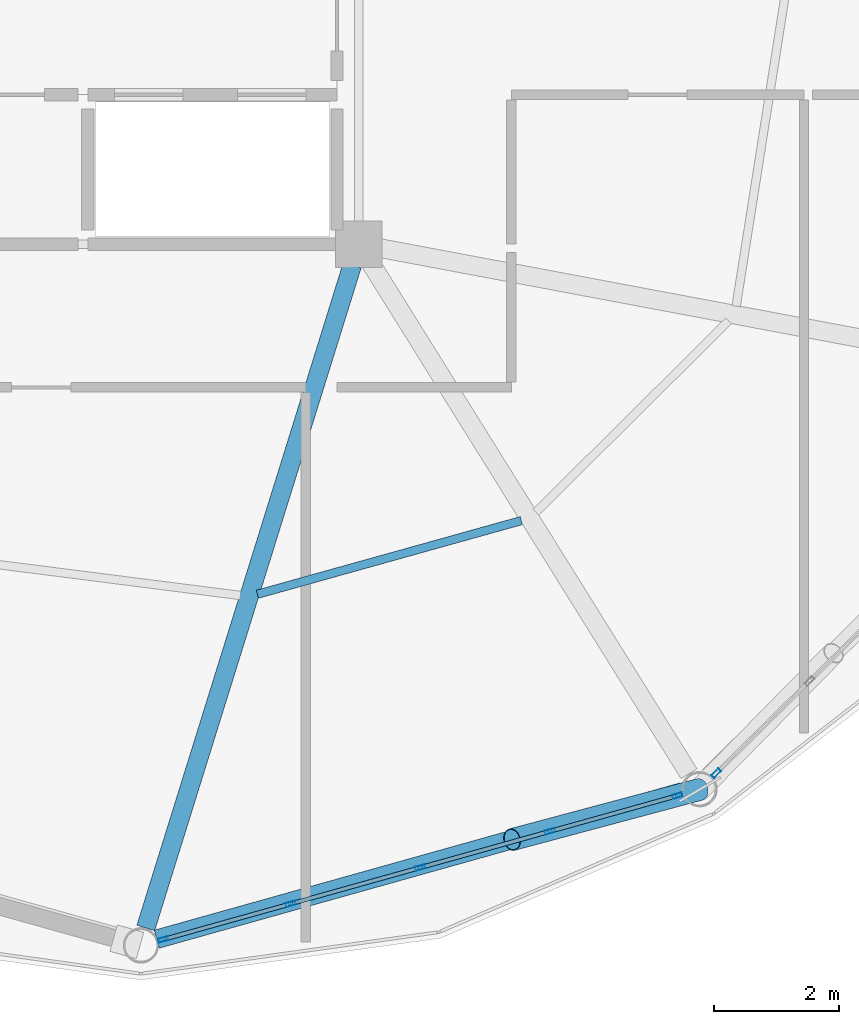
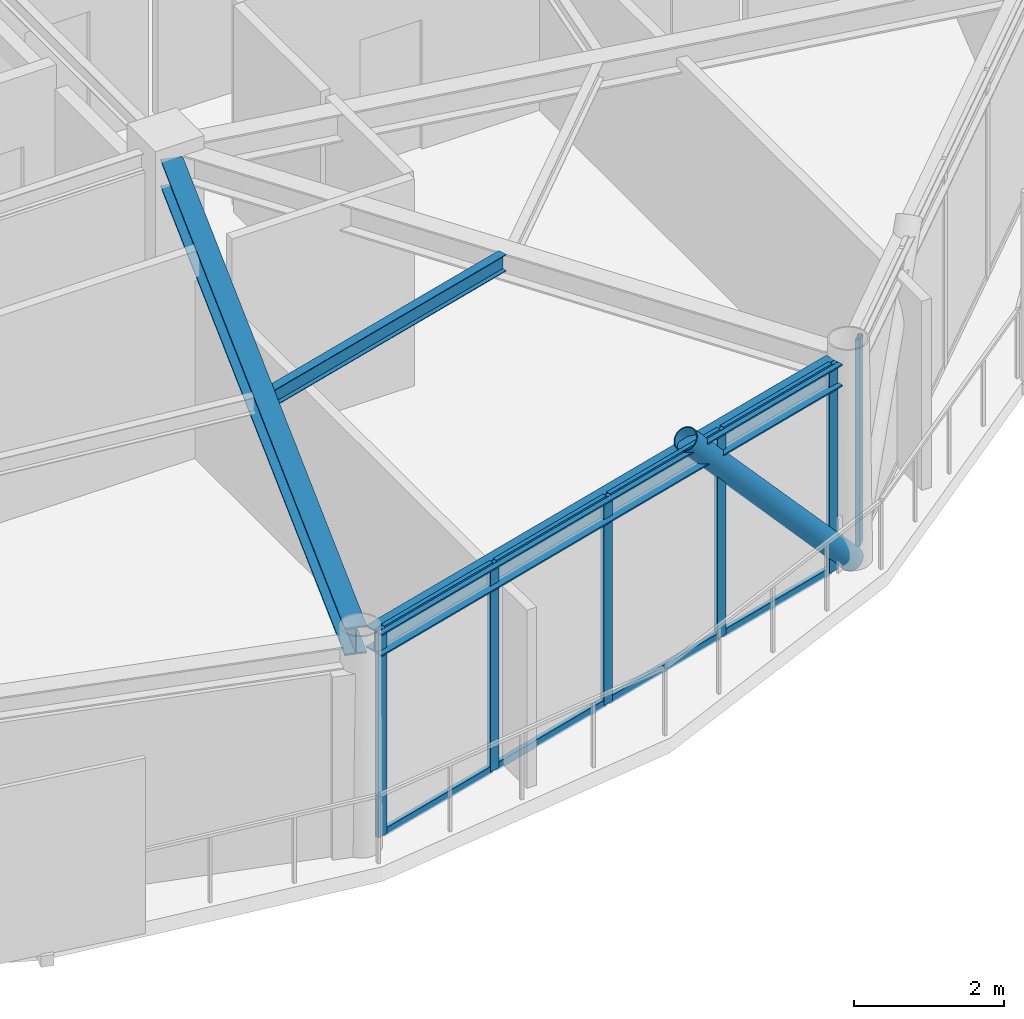
# One storey, part 6 of 26: 15 members, 3 beams, 2 elements without a shape of their own.
"""IFC4 building model written with IfcOpenShell, lengths in metres."""

from ifc_helpers import new_model, si_unit, direction, frame, origin, origin_2d, place, context, subcontext, project, spatial, hollow_rectangle, hollow_circle, i_section, extrude, material, layer, layer_set, material_profile, profile_set, type_object, element, aggregate, save


model = new_model("IFC4")

# Units and contexts
model_context = context("Model", 3, precision=1e-05, world=origin(), true_north=direction((0.0, 1.0)))
body_context = subcontext(model_context, "Body", "Model", "MODEL_VIEW")
ifc_project = project(units=[si_unit("LENGTHUNIT", "METRE"), si_unit("AREAUNIT", "SQUARE_METRE"), si_unit("VOLUMEUNIT", "CUBIC_METRE"), si_unit("PLANEANGLEUNIT", "RADIAN"), si_unit("MASSUNIT", "GRAM", prefix="KILO")], contexts=[model_context])

# Site, building, storey
site_placement = place(None, origin())
site = spatial("IfcSite", under=ifc_project, at=site_placement, CompositionType="ELEMENT")
building_placement = place(site_placement, origin())
building = spatial("IfcBuilding", under=site, at=building_placement, Name="Varnakorn Sky Granary", CompositionType="ELEMENT")
storey_placement = place(building_placement, frame((0.0, 0.0, 270.60009765625)))
storey = spatial("IfcBuildingStorey", under=building, at=storey_placement, Name="L69", CompositionType="ELEMENT", Elevation=270.60009765625)

# Beams
ifc_material_1 = material(Name="Steel S355JR", Category="steel")
ifc_material_profile_1 = material_profile(ifc_material_1, i_section(OverallWidth=0.300048828125, OverallDepth=0.449951171875, WebThickness=0.013916015625, FlangeThickness=0.02587890625, at=origin_2d()), Name="HE 450 B")
ifc_profile_set_1 = profile_set([ifc_material_profile_1], Name="Steel S355JR")
beam_type_1 = type_object("IfcBeamType", Name="BM-RAD-Z5", PredefinedType="BEAM", material=ifc_profile_set_1)
beam_1_placement = place(storey_placement, frame((8.244384765625, -6.93896484375, 3.135009765625), z_axis=(-0.297421948681, -0.954746136124, 0.0), x_axis=(0.954746136124, -0.297421948681, 0.0)))
element("IfcBeam", 1, at=beam_1_placement, inside=storey, type_object=beam_type_1, Name="Radial Floor Girder RG10 L69", PredefinedType="BEAM", context=body_context, shape_type="SweptSolid", body=[
    extrude(i_section(OverallWidth=0.300048828125, OverallDepth=0.449951171875, WebThickness=0.013916015625, FlangeThickness=0.02587890625, at=origin_2d()), origin(), (0.0, 0.0, 1.0), 11.14794921875),
])
ifc_material_profile_2 = material_profile(ifc_material_1, i_section(OverallWidth=0.135009765625, OverallDepth=0.27001953125, WebThickness=0.006591796875, FlangeThickness=0.01025390625, at=origin_2d()), Name="IPE 270")
ifc_profile_set_2 = profile_set([ifc_material_profile_2], Name="Steel S355JR")
beam_type_2 = type_object("IfcBeamType", Name="BM-SEC-Z5", PredefinedType="BEAM", material=ifc_profile_set_2)
beam_2_placement = place(storey_placement, frame((6.721435546875, -12.22314453125, 3.224853515625), z_axis=(0.96320732246, 0.268759472317, 0.0), x_axis=(-0.268759472317, 0.96320732246, 0.0)))
element("IfcBeam", 2, at=beam_2_placement, inside=storey, type_object=beam_type_2, Name="Secondary Floor Chord Beam MSB10 L69", PredefinedType="BEAM", context=body_context, shape_type="SweptSolid", body=[
    extrude(i_section(OverallWidth=0.135009765625, OverallDepth=0.27001953125, WebThickness=0.006591796875, FlangeThickness=0.01025390625, at=origin_2d()), origin(), (0.0, 0.0, 1.0), 4.401123046875),
])
ifc_material_profile_3 = material_profile(ifc_material_1, i_section(OverallWidth=0.300048828125, OverallDepth=0.360107421875, WebThickness=0.012451171875, FlangeThickness=0.0224609375, at=origin_2d()), Name="HE 360 B")
ifc_profile_set_3 = profile_set([ifc_material_profile_3], Name="Steel S355JR")
beam_type_3 = type_object("IfcBeamType", Name="BM-SPD-Z5", PredefinedType="SPANDREL", material=ifc_profile_set_3)
beam_3_placement = place(storey_placement, frame((5.104736328125, -17.763671875, 3.179931640625), z_axis=(0.96289392895, 0.269880124482, 0.0), x_axis=(-0.269880124482, 0.96289392895, 0.0)))
element("IfcBeam", 3, at=beam_3_placement, inside=storey, type_object=beam_type_3, Name="Perimeter Spandrel Ring Beam RB10 L69", PredefinedType="SPANDREL", context=body_context, shape_type="SweptSolid", body=[
    extrude(i_section(OverallWidth=0.300048828125, OverallDepth=0.360107421875, WebThickness=0.012451171875, FlangeThickness=0.0224609375, at=origin_2d()), origin(), (0.0, 0.0, 1.0), 8.758544921875),
])

# Curtain wall, members
ifc_material_2 = material(Name="Anodised Bronze Aluminium Alloy 6063-T6", Category="aluminium")
ifc_layer = layer(ifc_material_2, 0.159912109375, Name="Anodised Bronze Aluminium Alloy 6063-T6")
ifc_layer_set = layer_set([ifc_layer], Name="Anodised Bronze Aluminium Alloy 6063-T6")
curtain_wall_type = type_object("IfcCurtainWallType", Name="CW-OFF-1", PredefinedType="USERDEFINED", material=ifc_layer_set)
curtain_wall_1_placement = place(storey_placement, origin())
curtain_wall_1 = element("IfcCurtainWall", 4, at=curtain_wall_1_placement, inside=storey, type_object=curtain_wall_type, Name="Unitised Curtain Wall CW6 CW-L69-B10", ObjectType="CURTAIN WALL", PredefinedType="USERDEFINED")
ifc_material_profile_4 = material_profile(ifc_material_2, hollow_rectangle(XDim=0.06494140625, YDim=0.159912109375, WallThickness=0.00341796875, at=origin_2d()), Name="ALU MULL 65x160")
ifc_profile_set_4 = profile_set([ifc_material_profile_4], Name="Anodised Bronze Aluminium Alloy 6063-T6")
member_type_1 = type_object("IfcMemberType", Name="CW-OFF-1-MULL", PredefinedType="MULLION", material=ifc_profile_set_4)
member_1_placement = place(storey_placement, frame((13.46875, -15.458251953125, 0.0), z_axis=(0.0, 0.0, 1.0), x_axis=(0.269378844621, -0.963034287069, 0.0)))
member_1 = element("IfcMember", 5, at=member_1_placement, type_object=member_type_1, Name="CW6 mullion 1", PredefinedType="MULLION", context=body_context, shape_type="SweptSolid", body=[
    extrude(hollow_rectangle(XDim=0.06494140625, YDim=0.159912109375, WallThickness=0.00341796875, at=origin_2d()), origin(), (0.0, 0.0, 1.0), 3.35986328125),
])
member_2_placement = place(storey_placement, frame((11.419189453125, -16.031494140625, 0.0), z_axis=(0.0, 0.0, 1.0), x_axis=(0.269378844621, -0.963034287069, 0.0)))
member_2 = element("IfcMember", 6, at=member_2_placement, type_object=member_type_1, Name="CW6 mullion 2", PredefinedType="MULLION", context=body_context, shape_type="SweptSolid", body=[
    extrude(hollow_rectangle(XDim=0.06494140625, YDim=0.159912109375, WallThickness=0.00341796875, at=origin_2d()), origin(), (0.0, 0.0, 1.0), 3.35986328125),
])
member_3_placement = place(storey_placement, frame((9.33837890625, -16.613525390625, 0.0), z_axis=(0.0, 0.0, 1.0), x_axis=(0.269378844621, -0.963034287069, 0.0)))
member_3 = element("IfcMember", 7, at=member_3_placement, type_object=member_type_1, Name="CW6 mullion 3", PredefinedType="MULLION", context=body_context, shape_type="SweptSolid", body=[
    extrude(hollow_rectangle(XDim=0.06494140625, YDim=0.159912109375, WallThickness=0.00341796875, at=origin_2d()), origin(), (0.0, 0.0, 1.0), 3.35986328125),
])
member_4_placement = place(storey_placement, frame((7.2578125, -17.195556640625, 0.0), z_axis=(0.0, 0.0, 1.0), x_axis=(0.269378844621, -0.963034287069, 0.0)))
member_4 = element("IfcMember", 8, at=member_4_placement, type_object=member_type_1, Name="CW6 mullion 4", PredefinedType="MULLION", context=body_context, shape_type="SweptSolid", body=[
    extrude(hollow_rectangle(XDim=0.06494140625, YDim=0.159912109375, WallThickness=0.00341796875, at=origin_2d()), origin(), (0.0, 0.0, 1.0), 3.35986328125),
])
member_5_placement = place(storey_placement, frame((5.208251953125, -17.768798828125, 0.0), z_axis=(0.0, 0.0, 1.0), x_axis=(0.269378844621, -0.963034287069, 0.0)))
member_5 = element("IfcMember", 9, at=member_5_placement, type_object=member_type_1, Name="CW6 mullion 5", PredefinedType="MULLION", context=body_context, shape_type="SweptSolid", body=[
    extrude(hollow_rectangle(XDim=0.06494140625, YDim=0.159912109375, WallThickness=0.00341796875, at=origin_2d()), origin(), (0.0, 0.0, 1.0), 3.35986328125),
])

# Curtain wall, member
curtain_wall_2_placement = place(storey_placement, origin())
curtain_wall_2 = element("IfcCurtainWall", 10, at=curtain_wall_2_placement, inside=storey, type_object=curtain_wall_type, Name="Unitised Curtain Wall CW6 CW-L69-B11", ObjectType="CURTAIN WALL", PredefinedType="USERDEFINED")
member_6_placement = place(storey_placement, frame((14.091552734375, -15.0966796875, 0.0), z_axis=(0.0, 0.0, 1.0), x_axis=(0.702728935419, -0.711457689062, 0.0)))
member_6 = element("IfcMember", 11, at=member_6_placement, type_object=member_type_1, Name="CW6 mullion 5", PredefinedType="MULLION", context=body_context, shape_type="SweptSolid", body=[
    extrude(hollow_rectangle(XDim=0.06494140625, YDim=0.159912109375, WallThickness=0.00341796875, at=origin_2d()), origin(), (0.0, 0.0, 1.0), 3.35986328125),
])
aggregate(curtain_wall_2, [member_6])

# Member
ifc_material_profile_5 = material_profile(ifc_material_2, hollow_rectangle(XDim=0.06494140625, YDim=0.1201171875, WallThickness=0.00341796875, at=origin_2d()), Name="ALU TRAN 65x120")
ifc_profile_set_5 = profile_set([ifc_material_profile_5], Name="Anodised Bronze Aluminium Alloy 6063-T6")
member_type_2 = type_object("IfcMemberType", Name="CW-OFF-1-TRAN", PredefinedType="USERDEFINED", material=ifc_profile_set_5)
member_7_placement = place(storey_placement, frame((13.4375, -15.467041015625, 0.032470703125), z_axis=(-0.96305367633, -0.26930951804, 0.0), x_axis=(0.26930951804, -0.96305367633, 0.0)))
member_7 = element("IfcMember", 12, at=member_7_placement, type_object=member_type_2, Name="CW6 transom 1.1", ObjectType="TRANSOM", PredefinedType="USERDEFINED", context=body_context, shape_type="SweptSolid", body=[
    extrude(hollow_rectangle(XDim=0.06494140625, YDim=0.1201171875, WallThickness=0.00341796875, at=origin_2d()), origin(), (0.0, 0.0, 1.0), 2.063232421875),
])

member_8_placement = place(storey_placement, frame((13.4375, -15.467041015625, 3.327392578125), z_axis=(-0.96305367633, -0.26930951804, 0.0), x_axis=(0.26930951804, -0.96305367633, 0.0)))
member_8 = element("IfcMember", 13, at=member_8_placement, type_object=member_type_2, Name="CW6 transom 1.2", ObjectType="TRANSOM", PredefinedType="USERDEFINED", context=body_context, shape_type="SweptSolid", body=[
    extrude(hollow_rectangle(XDim=0.06494140625, YDim=0.1201171875, WallThickness=0.00341796875, at=origin_2d()), origin(), (0.0, 0.0, 1.0), 2.063232421875),
])

member_9_placement = place(storey_placement, frame((11.387939453125, -16.040283203125, 0.032470703125), z_axis=(-0.963039002656, -0.269361985742, 0.0), x_axis=(0.269361985742, -0.963039002656, 0.0)))
member_9 = element("IfcMember", 14, at=member_9_placement, type_object=member_type_2, Name="CW6 transom 2.1", ObjectType="TRANSOM", PredefinedType="USERDEFINED", context=body_context, shape_type="SweptSolid", body=[
    extrude(hollow_rectangle(XDim=0.06494140625, YDim=0.1201171875, WallThickness=0.00341796875, at=origin_2d()), origin(), (0.0, 0.0, 1.0), 2.095458984375),
])

member_10_placement = place(storey_placement, frame((11.387939453125, -16.040283203125, 3.327392578125), z_axis=(-0.963039002656, -0.269361985742, 0.0), x_axis=(0.269361985742, -0.963039002656, 0.0)))
member_10 = element("IfcMember", 15, at=member_10_placement, type_object=member_type_2, Name="CW6 transom 2.2", ObjectType="TRANSOM", PredefinedType="USERDEFINED", context=body_context, shape_type="SweptSolid", body=[
    extrude(hollow_rectangle(XDim=0.06494140625, YDim=0.1201171875, WallThickness=0.00341796875, at=origin_2d()), origin(), (0.0, 0.0, 1.0), 2.095458984375),
])

member_11_placement = place(storey_placement, frame((9.30712890625, -16.622314453125, 0.032470703125), z_axis=(-0.963039002656, -0.269361985742, 0.0), x_axis=(0.269361985742, -0.963039002656, 0.0)))
member_11 = element("IfcMember", 16, at=member_11_placement, type_object=member_type_2, Name="CW6 transom 3.1", ObjectType="TRANSOM", PredefinedType="USERDEFINED", context=body_context, shape_type="SweptSolid", body=[
    extrude(hollow_rectangle(XDim=0.06494140625, YDim=0.1201171875, WallThickness=0.00341796875, at=origin_2d()), origin(), (0.0, 0.0, 1.0), 2.095458984375),
])

member_12_placement = place(storey_placement, frame((9.30712890625, -16.622314453125, 3.327392578125), z_axis=(-0.963039002656, -0.269361985742, 0.0), x_axis=(0.269361985742, -0.963039002656, 0.0)))
member_12 = element("IfcMember", 17, at=member_12_placement, type_object=member_type_2, Name="CW6 transom 3.2", ObjectType="TRANSOM", PredefinedType="USERDEFINED", context=body_context, shape_type="SweptSolid", body=[
    extrude(hollow_rectangle(XDim=0.06494140625, YDim=0.1201171875, WallThickness=0.00341796875, at=origin_2d()), origin(), (0.0, 0.0, 1.0), 2.095458984375),
])

member_13_placement = place(storey_placement, frame((7.2265625, -17.204345703125, 0.032470703125), z_axis=(-0.96305367633, -0.26930951804, 0.0), x_axis=(0.26930951804, -0.96305367633, 0.0)))
member_13 = element("IfcMember", 18, at=member_13_placement, type_object=member_type_2, Name="CW6 transom 4.1", ObjectType="TRANSOM", PredefinedType="USERDEFINED", context=body_context, shape_type="SweptSolid", body=[
    extrude(hollow_rectangle(XDim=0.06494140625, YDim=0.1201171875, WallThickness=0.00341796875, at=origin_2d()), origin(), (0.0, 0.0, 1.0), 2.063232421875),
])

member_14_placement = place(storey_placement, frame((7.2265625, -17.204345703125, 3.327392578125), z_axis=(-0.96305367633, -0.26930951804, 0.0), x_axis=(0.26930951804, -0.96305367633, 0.0)))
member_14 = element("IfcMember", 19, at=member_14_placement, type_object=member_type_2, Name="CW6 transom 4.2", ObjectType="TRANSOM", PredefinedType="USERDEFINED", context=body_context, shape_type="SweptSolid", body=[
    extrude(hollow_rectangle(XDim=0.06494140625, YDim=0.1201171875, WallThickness=0.00341796875, at=origin_2d()), origin(), (0.0, 0.0, 1.0), 2.063232421875),
])

aggregate(curtain_wall_1, [member_1, member_2, member_3, member_4, member_5, member_7, member_8, member_9, member_10, member_11, member_12, member_13, member_14])

ifc_material_3 = material(Name="Steel S460M", Category="steel")
ifc_material_profile_6 = material_profile(ifc_material_3, hollow_circle(Radius=0.177734375, WallThickness=0.01416015625, at=origin_2d()), Name="CHS 355.6x14")
ifc_profile_set_6 = profile_set([ifc_material_profile_6], Name="Steel S460M")
member_type_3 = type_object("IfcMemberType", Name="MB-DIAG-T5", PredefinedType="BRACE", material=ifc_profile_set_6)
member_15_placement = place(storey_placement, frame((13.826904296875, -15.358154296875, 0.0), z_axis=(-0.643962402719, -0.172137006347, 0.74544032285), x_axis=(0.258242036384, -0.966080250623, 0.0)))
element("IfcMember", 20, at=member_15_placement, inside=storey, type_object=member_type_3, Name="Perimeter CHS Diagrid Brace DG10 L69", PredefinedType="BRACE", context=body_context, shape_type="SweptSolid", body=[
    extrude(hollow_circle(Radius=0.177734375, WallThickness=0.01416015625, at=origin_2d()), origin(), (0.0, 0.0, 1.0), 4.681884765625),
])

save(model, "model.ifc")
